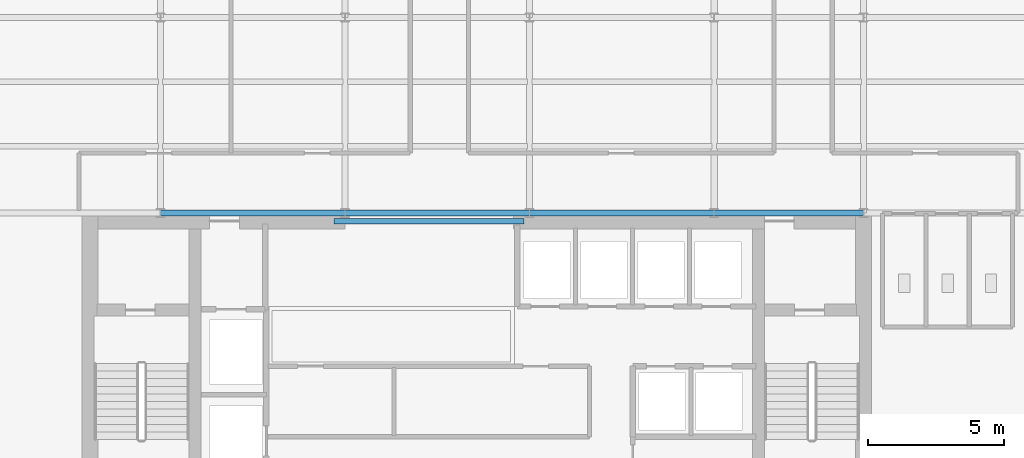
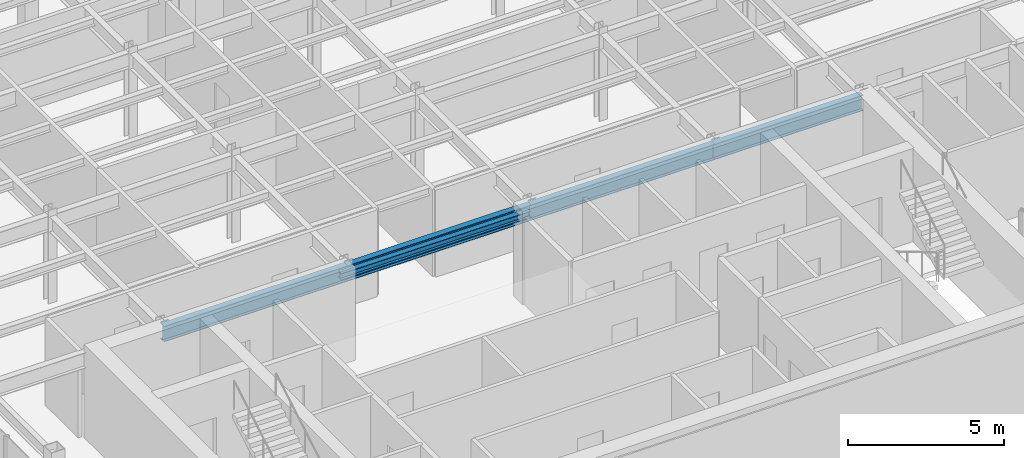
# One storey, part 4 of 22: 5 beams.
"""IFC4 building model written with IfcOpenShell, lengths in metres."""

from ifc_helpers import new_model, si_unit, derived_unit, direction, frame, origin, origin_2d, place, context, subcontext, project, spatial, i_section, extrude, source, transform, mapped, material, material_profile, profile_set, type_object, element, save


model = new_model("IFC4")

# Units and contexts
model_context = context("Model", 3, precision=1e-05, world=origin(), true_north=direction((0.0, 1.0)))
body_context = subcontext(model_context, "Body", "Model", "MODEL_VIEW")
ifc_project = project(units=[si_unit("LENGTHUNIT", "METRE"), si_unit("AREAUNIT", "SQUARE_METRE"), si_unit("VOLUMEUNIT", "CUBIC_METRE"), si_unit("PLANEANGLEUNIT", "RADIAN"), si_unit("MASSUNIT", "GRAM", prefix="KILO"), derived_unit("THERMALTRANSMITTANCEUNIT", [(si_unit("POWERUNIT", "WATT"), 1), (si_unit("LENGTHUNIT", "METRE"), -2), (si_unit("THERMODYNAMICTEMPERATUREUNIT", "KELVIN"), -1)])], contexts=[model_context])

# Site, building, storey
site_placement = place(None, origin())
site = spatial("IfcSite", under=ifc_project, at=site_placement, CompositionType="ELEMENT")
building_placement = place(site_placement, origin())
building = spatial("IfcBuilding", under=site, at=building_placement, Name="Skarnbrae Concourse Arena and Tower", CompositionType="ELEMENT")
storey_placement = place(building_placement, frame((0.0, 0.0, 247.85009765625)))
storey = spatial("IfcBuildingStorey", under=building, at=storey_placement, Name="L64", CompositionType="ELEMENT", Elevation=247.85009765625)

# Beams
ifc_material = material(Name="Steel CSA G40.21 350W", Category="steel")
ifc_material_profile_1 = material_profile(ifc_material, i_section(OverallWidth=0.202880859375, OverallDepth=0.251953125, WebThickness=0.008056640625, FlangeThickness=0.013427734375, at=origin_2d()), Name="W250X58")
ifc_profile_set_1 = profile_set([ifc_material_profile_1], Name="Steel CSA G40.21 350W")
beam_type_1 = type_object("IfcBeamType", Name="BM-LINTEL-W250X58", PredefinedType="LINTEL", material=ifc_profile_set_1)
shared_shape_1 = source(origin(), body_context, "Body", "SweptSolid", [
    extrude(i_section(OverallWidth=0.202880859375, OverallDepth=0.251953125, WebThickness=0.008056640625, FlangeThickness=0.013427734375, at=origin_2d()), origin(), (0.0, 0.0, 1.0), 7.0),
])
beam_1_placement = place(storey_placement, frame((14.0, 13.699951171875, 3.27392578125), z_axis=(1.0, 0.0, 0.0), x_axis=(0.0, 1.0, 0.0)))
element("IfcBeam", 1, at=beam_1_placement, inside=storey, type_object=beam_type_1, Name="L64 Core portal coupling lintel", PredefinedType="LINTEL", context=body_context, shape_type="MappedRepresentation", body=[
    mapped(shared_shape_1, transform((0.0, 0.0, 0.0))),
])
ifc_material_profile_2 = material_profile(ifc_material, i_section(OverallWidth=0.22802734375, OverallDepth=0.60791015625, WebThickness=0.01123046875, FlangeThickness=0.017333984375, at=origin_2d()), Name="W610X113")
ifc_profile_set_2 = profile_set([ifc_material_profile_2], Name="Steel CSA G40.21 350W")
beam_type_2 = type_object("IfcBeamType", Name="BM-GIRD-W610X113", PredefinedType="BEAM", material=ifc_profile_set_2)
shared_shape_2 = source(origin(), body_context, "Body", "SweptSolid", [
    extrude(i_section(OverallWidth=0.22802734375, OverallDepth=0.60791015625, WebThickness=0.01123046875, FlangeThickness=0.017333984375, at=origin_2d()), origin(), (0.0, 0.0, 1.0), 6.7998046875),
])
beam_2_placement = place(storey_placement, frame((7.60009765625, 14.0, 3.095947265625), z_axis=(1.0, 0.0, 0.0), x_axis=(0.0, 1.0, 0.0)))
element("IfcBeam", 2, at=beam_2_placement, inside=storey, type_object=beam_type_2, Name="L64 Primary E-W girder Y14.0-2", PredefinedType="BEAM", context=body_context, shape_type="MappedRepresentation", body=[
    mapped(shared_shape_2, transform((0.0, 0.0, 0.0))),
])
shared_shape_3 = source(origin(), body_context, "Body", "SweptSolid", [
    extrude(i_section(OverallWidth=0.22802734375, OverallDepth=0.60791015625, WebThickness=0.01123046875, FlangeThickness=0.017333984375, at=origin_2d()), origin(), (0.0, 0.0, 1.0), 6.800048828125),
])
for number, where, z_axis, x_axis, name in (
    (3, (14.39990234375, 14.0, 3.095947265625), (1.0, 0.0, 0.0), (0.0, 1.0, 0.0), "L64 Primary E-W girder Y14.0-3"),
    (4, (21.199951171875, 14.0, 3.095947265625), (1.0, 0.0, 0.0), (0.0, 1.0, 0.0), "L64 Primary E-W girder Y14.0-4"),
):
    element("IfcBeam", number, at=place(storey_placement, frame(where, z_axis=z_axis, x_axis=x_axis)), inside=storey, type_object=beam_type_2, Name=name, PredefinedType="BEAM", context=body_context, shape_type="MappedRepresentation", body=[
        mapped(shared_shape_3, transform((0.0, 0.0, 0.0))),
    ])
shared_shape_4 = source(origin(), body_context, "Body", "SweptSolid", [
    extrude(i_section(OverallWidth=0.22802734375, OverallDepth=0.60791015625, WebThickness=0.01123046875, FlangeThickness=0.017333984375, at=origin_2d()), origin(), (0.0, 0.0, 1.0), 5.5),
])
beam_3_placement = place(storey_placement, frame((28.0, 14.0, 3.095947265625), z_axis=(1.0, 0.0, 0.0), x_axis=(0.0, 1.0, 0.0)))
element("IfcBeam", 5, at=beam_3_placement, inside=storey, type_object=beam_type_2, Name="L64 Primary E-W girder Y14.0-5", PredefinedType="BEAM", context=body_context, shape_type="MappedRepresentation", body=[
    mapped(shared_shape_4, transform((0.0, 0.0, 0.0))),
])

save(model, "model.ifc")
